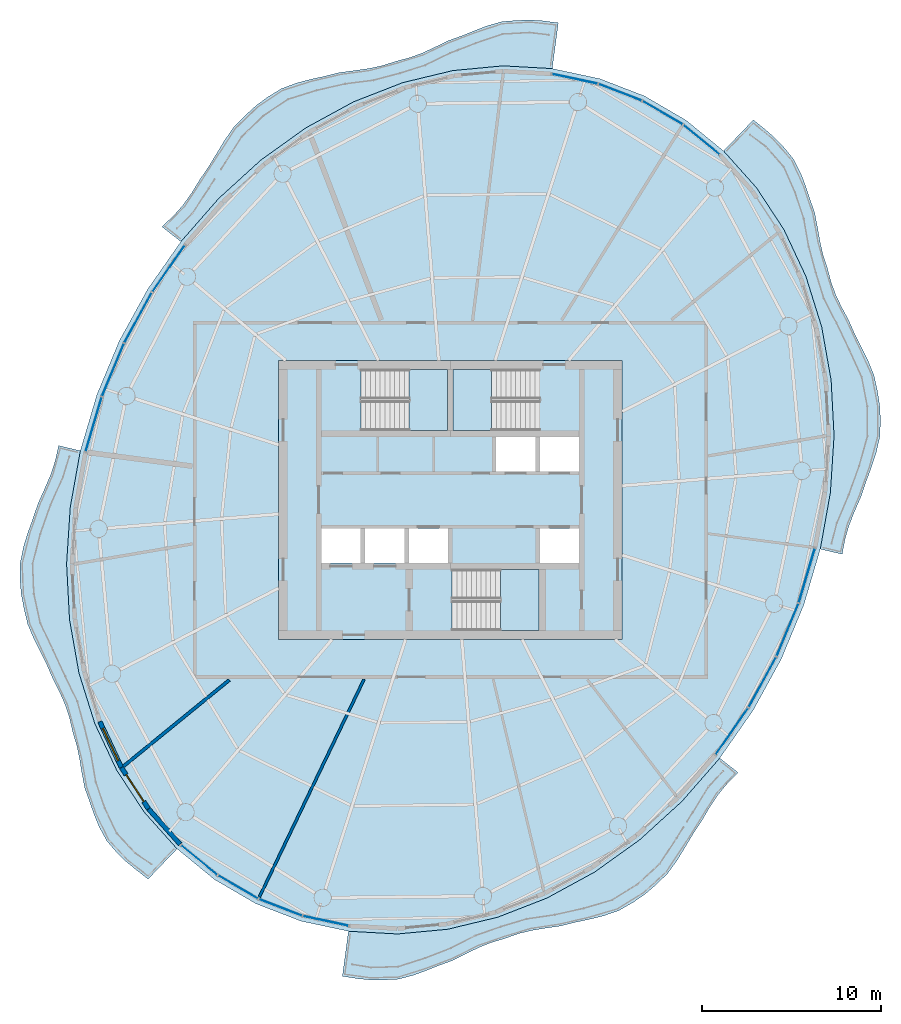
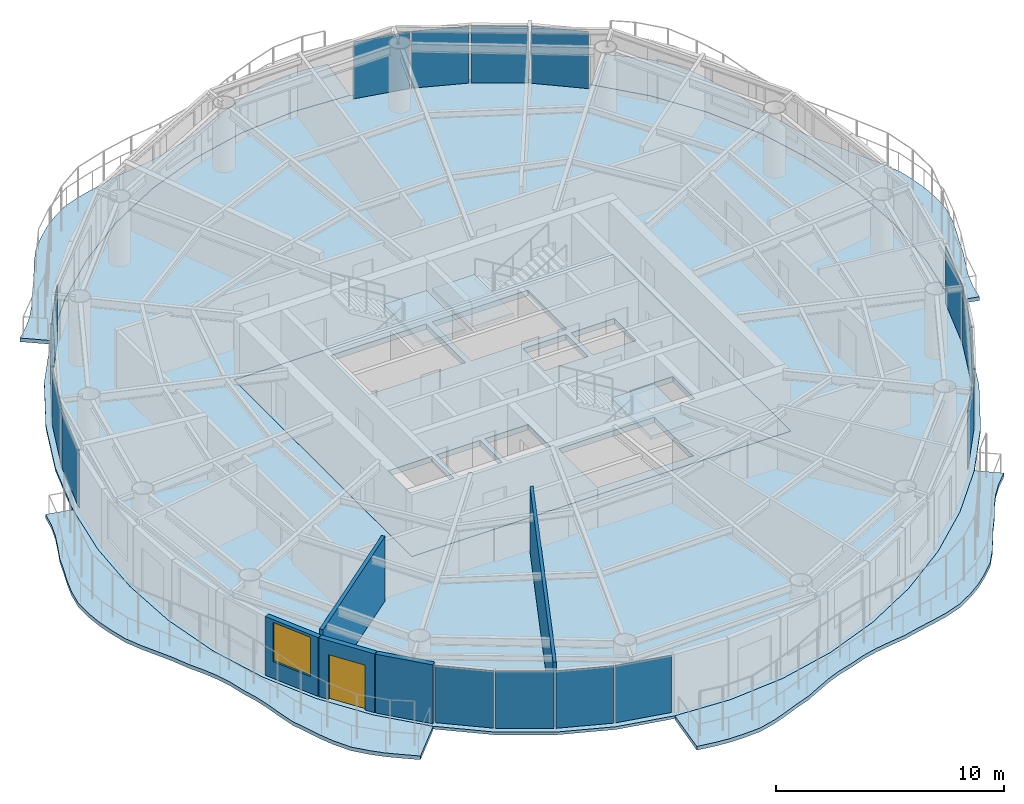
# One storey, part 6 of 13: 16 plates, 9 slabs, 5 walls, 1 door, 1 window, 2 openings, 19 elements without a shape of their own.
"""IFC4 building model written with IfcOpenShell, lengths in metres."""

from ifc_helpers import new_model, si_unit, direction, frame, frame_2d, origin, origin_2d, place, context, subcontext, project, spatial, polyline, rectangle, outline, extrude, material, layer, layer_set, type_object, element, fill, aggregate, save


model = new_model("IFC4")

# Units and contexts
model_context = context("Model", 3, precision=1e-05, world=origin(), true_north=direction((0.0, 1.0)))
body_context = subcontext(model_context, "Body", "Model", "MODEL_VIEW")
ifc_project = project(units=[si_unit("LENGTHUNIT", "METRE"), si_unit("AREAUNIT", "SQUARE_METRE"), si_unit("VOLUMEUNIT", "CUBIC_METRE"), si_unit("PLANEANGLEUNIT", "RADIAN"), si_unit("MASSUNIT", "GRAM", prefix="KILO")], contexts=[model_context])

# Site, building, storey
site_placement = place(None, origin())
site = spatial("IfcSite", under=ifc_project, at=site_placement, CompositionType="ELEMENT")
building_placement = place(site_placement, origin())
building = spatial("IfcBuilding", under=site, at=building_placement, Name="Vermilion Reach Broadcast Tower", CompositionType="ELEMENT")
storey_placement = place(building_placement, frame((0.0, 0.0, 290.10009765625)))
storey = spatial("IfcBuildingStorey", under=building, at=storey_placement, Name="L72", CompositionType="ELEMENT", Elevation=290.10009765625)

# Slabs
ifc_material_1 = material(Name="Concrete C40/50", Category="concrete")
ifc_layer_1 = layer(ifc_material_1, 0.199951171875)
ifc_layer_set_1 = layer_set([ifc_layer_1], Name="Balcony slab 200")
slab_type_1 = type_object("IfcSlabType", Name="Balcony slab 200", PredefinedType="FLOOR", material=ifc_layer_set_1)
placement_1 = place(storey_placement, frame((0.0, 0.0, -0.2001953125)))
element("IfcSlab", 1, at=placement_1, inside=storey, type_object=slab_type_1, Name="Balcony slab L72 group 1", PredefinedType="FLOOR", context=body_context, shape_type="SweptSolid", body=[
    extrude(outline(polyline([(-0.30126953125, 24.114501953125), (-3.0498046875, 24.26708984375), (-5.848876953125, 24.00439453125), (-8.650390625, 23.3310546875), (-11.406494140625, 22.258544921875), (-14.0703125, 20.80517578125), (-16.595947265625, 18.995849609375), (-18.940185546875, 16.861572265625), (-21.063232421875, 14.438720703125), (-22.12939453125, 15.27392578125), (-21.482666015625, 15.876953125), (-20.9482421875, 16.4794921875), (-20.477294921875, 17.137451171875), (-20.007080078125, 17.908203125), (-19.497802734375, 18.6513671875), (-19.071044921875, 19.359619140625), (-18.645263671875, 20.0693359375), (-18.098388671875, 20.853515625), (-17.4453125, 21.51513671875), (-16.866455078125, 22.040771484375), (-16.2421875, 22.50341796875), (-15.44384765625, 22.993408203125), (-14.5751953125, 23.314453125), (-13.8193359375, 23.512939453125), (-13.04736328125, 23.68212890625), (-12.16943359375, 23.898681640625), (-11.296142578125, 24.013671875), (-10.544189453125, 24.120361328125), (-9.812255859375, 24.278076171875), (-9.025390625, 24.528564453125), (-8.246826171875, 24.73486328125), (-7.56640625, 24.986083984375), (-6.899658203125, 25.2939453125), (-6.1259765625, 25.6728515625), (-5.326171875, 25.956787109375), (-4.646240234375, 26.23486328125), (-3.965087890625, 26.498046875), (-3.096923828125, 26.745361328125), (-2.21923828125, 26.8115234375), (-1.529052734375, 26.830810546875), (-0.842041015625, 26.788330078125), (0.040283203125, 26.673095703125), (-0.30126953125, 24.114501953125)])), origin(), (0.0, 0.0, 1.0), 0.2001953125),
])
element("IfcSlab", 2, at=placement_1, inside=storey, type_object=slab_type_1, Name="Balcony slab L72 group 2", PredefinedType="FLOOR", context=body_context, shape_type="SweptSolid", body=[
    extrude(outline(polyline([(-26.68359375, 2.749755859375), (-27.25048828125, -0.42138671875), (-27.453857421875, -3.585205078125), (-27.2900390625, -6.687744140625), (-26.761962890625, -9.67578125), (-25.878662109375, -12.498291015625), (-24.655029296875, -15.107177734375), (-23.112548828125, -17.457275390625), (-21.277099609375, -19.5087890625), (-22.8984375, -21.202392578125), (-23.593505859375, -20.657958984375), (-24.1318359375, -20.216064453125), (-24.626708984375, -19.735595703125), (-25.206298828125, -19.06689453125), (-25.635009765625, -18.2724609375), (-25.90869140625, -17.611328125), (-26.1455078125, -16.926025390625), (-26.439208984375, -16.104248046875), (-26.6083984375, -15.2275390625), (-26.7275390625, -14.48779296875), (-26.876708984375, -13.761962890625), (-27.108642578125, -12.976806640625), (-27.297119140625, -12.16748046875), (-27.527099609375, -11.46484375), (-27.82470703125, -10.783203125), (-28.21044921875, -10.029052734375), (-28.55224609375, -9.221923828125), (-28.905517578125, -8.513916015625), (-29.263427734375, -7.806884765625), (-29.626220703125, -6.954833984375), (-29.843505859375, -6.044677734375), (-29.989013671875, -5.274658203125), (-30.058349609375, -4.50048828125), (-30.05615234375, -3.5703125), (-29.86767578125, -2.6357421875), (-29.627685546875, -1.85693359375), (-29.3486328125, -1.080810546875), (-29.05078125, -0.203125), (-28.667236328125, 0.650146484375), (-28.345458984375, 1.41064453125), (-28.090087890625, 2.18310546875), (-27.902587890625, 3.037353515625), (-26.68359375, 2.749755859375)])), origin(), (0.0, 0.0, 1.0), 0.2001953125),
])
element("IfcSlab", 3, at=placement_1, inside=storey, type_object=slab_type_1, Name="Balcony slab L72 group 3", PredefinedType="FLOOR", context=body_context, shape_type="SweptSolid", body=[
    extrude(outline(polyline([(-11.69873046875, -24.114501953125), (-8.9501953125, -24.26708984375), (-6.151123046875, -24.00439453125), (-3.349609375, -23.3310546875), (-0.593505859375, -22.258544921875), (2.0703125, -20.80517578125), (4.595947265625, -18.995849609375), (6.940185546875, -16.861572265625), (9.063232421875, -14.438720703125), (10.099365234375, -15.25048828125), (9.474365234375, -15.86962890625), (8.961181640625, -16.49072265625), (8.510009765625, -17.166015625), (8.05322265625, -17.953369140625), (7.5498046875, -18.70849609375), (7.12548828125, -19.419677734375), (6.69580078125, -20.125), (6.136474609375, -20.900634765625), (5.468017578125, -21.546875), (4.8740234375, -22.051513671875), (4.234130859375, -22.491943359375), (3.422607421875, -22.95947265625), (2.546142578125, -23.26123046875), (1.783447265625, -23.447265625), (1.0087890625, -23.611083984375), (0.13623046875, -23.82763671875), (-0.728271484375, -23.95068359375), (-1.4736328125, -24.07421875), (-2.197509765625, -24.253173828125), (-2.97509765625, -24.52734375), (-3.74755859375, -24.758056640625), (-4.422607421875, -25.031494140625), (-5.085205078125, -25.35693359375), (-5.861328125, -25.748779296875), (-6.666259765625, -26.03759765625), (-7.346435546875, -26.312255859375), (-8.028564453125, -26.56494140625), (-8.902099609375, -26.7958984375), (-9.7822265625, -26.8408203125), (-10.471435546875, -26.836669921875), (-11.156982421875, -26.77001953125), (-12.034912109375, -26.63232421875), (-11.69873046875, -24.114501953125)])), origin(), (0.0, 0.0, 1.0), 0.2001953125),
])
element("IfcSlab", 4, at=placement_1, inside=storey, type_object=slab_type_1, Name="Balcony slab L72 group 4", PredefinedType="FLOOR", context=body_context, shape_type="SweptSolid", body=[
    extrude(outline(polyline([(14.68359375, -2.749755859375), (15.25048828125, 0.42138671875), (15.453857421875, 3.585205078125), (15.2900390625, 6.687744140625), (14.761962890625, 9.67578125), (13.878662109375, 12.498291015625), (12.655029296875, 15.107177734375), (11.112548828125, 17.457275390625), (9.277099609375, 19.5087890625), (10.943359375, 21.249267578125), (11.62890625, 20.689697265625), (12.151123046875, 20.2333984375), (12.628173828125, 19.73681640625), (13.188720703125, 19.05322265625), (13.597900390625, 18.248046875), (13.856201171875, 17.576904296875), (14.08251953125, 16.884765625), (14.368408203125, 16.064697265625), (14.537353515625, 15.194091796875), (14.66552734375, 14.458740234375), (14.82958984375, 13.739990234375), (15.080322265625, 12.9658203125), (15.29248046875, 12.166015625), (15.547119140625, 11.47119140625), (15.867431640625, 10.796630859375), (16.272705078125, 10.044189453125), (16.627685546875, 9.235107421875), (16.9853515625, 8.528076171875), (17.339111328125, 7.8203125), (17.68994140625, 6.962158203125), (17.88720703125, 6.047119140625), (18.007568359375, 5.275634765625), (18.0498046875, 4.5), (18.021240234375, 3.570556640625), (17.810302734375, 2.6396484375), (17.55419921875, 1.86181640625), (17.267822265625, 1.0859375), (16.972900390625, 0.212646484375), (16.601806640625, -0.638427734375), (16.2998046875, -1.402587890625), (16.069580078125, -2.179443359375), (15.909912109375, -3.039306640625), (14.68359375, -2.749755859375)])), origin(), (0.0, 0.0, 1.0), 0.2001953125),
])
ifc_material_2 = material(Name="Concrete C40", Category="concrete")
ifc_layer_2 = layer(ifc_material_2, 0.300048828125)
ifc_layer_set_2 = layer_set([ifc_layer_2], Name="Core floor slab 300 mm Concrete C40")
slab_type_2 = type_object("IfcSlabType", Name="Core floor slab 300 mm Concrete C40", PredefinedType="FLOOR", material=ifc_layer_set_2)
slab_5_placement = place(storey_placement, frame((0.0, 0.0, -0.300048828125)))
element("IfcSlab", 5, at=slab_5_placement, inside=storey, type_object=slab_type_2, Name="L72 core floor", PredefinedType="FLOOR", context=body_context, shape_type="SweptSolid", body=[
    extrude(outline(polyline([(-15.60009765625, -7.800048828125), (3.60009765625, -7.800048828125), (3.60009765625, 7.800048828125), (-15.60009765625, 7.800048828125), (-15.60009765625, -7.800048828125)]), holes=[polyline([(-3.433349609375, 1.60009765625), (-1.24169921875, 1.60009765625), (-1.24169921875, 3.530029296875), (-3.433349609375, 3.530029296875), (-3.433349609375, 1.60009765625)]), polyline([(-0.99169921875, 1.60009765625), (1.199951171875, 1.60009765625), (1.199951171875, 3.530029296875), (-0.99169921875, 3.530029296875), (-0.99169921875, 1.60009765625)]), polyline([(-13.199951171875, -3.530029296875), (-11.00830078125, -3.530029296875), (-11.00830078125, -1.60009765625), (-13.199951171875, -1.60009765625), (-13.199951171875, -3.530029296875)]), polyline([(-10.75830078125, -3.530029296875), (-8.566650390625, -3.530029296875), (-8.566650390625, -1.60009765625), (-10.75830078125, -1.60009765625), (-10.75830078125, -3.530029296875)]), polyline([(-8.316650390625, -3.530029296875), (-6.125, -3.530029296875), (-6.125, -1.60009765625), (-8.316650390625, -1.60009765625), (-8.316650390625, -3.530029296875)]), polyline([(-0.99169921875, -3.530029296875), (1.199951171875, -3.530029296875), (1.199951171875, -1.60009765625), (-0.99169921875, -1.60009765625), (-0.99169921875, -3.530029296875)]), polyline([(-10.999267578125, 3.8798828125), (-6.14990234375, 3.8798828125), (-6.14990234375, 7.300048828125), (-10.999267578125, 7.300048828125), (-10.999267578125, 3.8798828125)]), polyline([(-1.000732421875, 7.300048828125), (-5.85009765625, 7.300048828125), (-5.85009765625, 3.8798828125), (-1.000732421875, 3.8798828125), (-1.000732421875, 7.300048828125)]), polyline([(-5.8994140625, -7.300048828125), (-1.050048828125, -7.300048828125), (-1.050048828125, -3.8798828125), (-5.8994140625, -3.8798828125), (-5.8994140625, -7.300048828125)])]), origin(), (0.0, 0.0, 1.0), 0.300048828125),
])

# Stair, slab
ifc_material_3 = material(Name="Concrete C40", Category="concrete")
stair_type = type_object("IfcStairType", Name="Exit stair RC 22 risers 164 mm", PredefinedType="HALF_TURN_STAIR", material=ifc_material_3)
placement_2 = place(storey_placement, origin())
stair_1 = element("IfcStair", 6, at=placement_2, inside=storey, type_object=stair_type, Name="L72 Exit stair ST1", PredefinedType="HALF_TURN_STAIR")
ifc_material_4 = material(Name="Concrete C40", Category="concrete")
ifc_layer_3 = layer(ifc_material_4, 0.199951171875)
ifc_layer_set_3 = layer_set([ifc_layer_3], Name="Exit stair landing Concrete C40")
slab_type_3 = type_object("IfcSlabType", Name="Exit stair landing Concrete C40", PredefinedType="LANDING", material=ifc_layer_set_3)
placement_3 = place(storey_placement, frame((0.0, 0.0, 1.599853515625)))
slab_6 = element("IfcSlab", 7, at=placement_3, type_object=slab_type_3, Name="ST1 landing 1", PredefinedType="LANDING", context=body_context, shape_type="SweptSolid", body=[
    extrude(outline(polyline([(-8.300048828125, 3.8798828125), (-6.14990234375, 3.8798828125), (-6.14990234375, 7.300048828125), (-8.300048828125, 7.300048828125), (-8.300048828125, 3.8798828125)])), origin(), (0.0, 0.0, 1.0), 0.199951171875),
])
aggregate(stair_1, [slab_6])

stair_2 = element("IfcStair", 8, at=placement_2, inside=storey, type_object=stair_type, Name="L72 Exit stair ST2", PredefinedType="HALF_TURN_STAIR")
slab_7 = element("IfcSlab", 9, at=placement_3, type_object=slab_type_3, Name="ST2 landing 1", PredefinedType="LANDING", context=body_context, shape_type="SweptSolid", body=[
    extrude(outline(polyline([(-3.699951171875, 7.300048828125), (-5.85009765625, 7.300048828125), (-5.85009765625, 3.8798828125), (-3.699951171875, 3.8798828125), (-3.699951171875, 7.300048828125)])), origin(), (0.0, 0.0, 1.0), 0.199951171875),
])
aggregate(stair_2, [slab_7])

stair_3 = element("IfcStair", 10, at=placement_2, inside=storey, type_object=stair_type, Name="L72 Exit stair ST3", PredefinedType="HALF_TURN_STAIR")
slab_8 = element("IfcSlab", 11, at=placement_3, type_object=slab_type_3, Name="ST3 landing 1", PredefinedType="LANDING", context=body_context, shape_type="SweptSolid", body=[
    extrude(outline(polyline([(-3.199951171875, -7.300048828125), (-1.050048828125, -7.300048828125), (-1.050048828125, -3.8798828125), (-3.199951171875, -3.8798828125), (-3.199951171875, -7.300048828125)])), origin(), (0.0, 0.0, 1.0), 0.199951171875),
])
aggregate(stair_3, [slab_8])

# Slab
ifc_material_5 = material(Name="Concrete C40", Category="concrete")
ifc_layer_4 = layer(ifc_material_5, 0.14990234375)
ifc_layer_set_4 = layer_set([ifc_layer_4], Name="Floor slab Concrete C40 composite 150")
slab_type_4 = type_object("IfcSlabType", Name="Floor slab Concrete C40 composite 150", PredefinedType="FLOOR", material=ifc_layer_set_4)
slab_9_placement = place(storey_placement, frame((0.0, 0.0, -0.150146484375)))
element("IfcSlab", 12, at=slab_9_placement, inside=storey, type_object=slab_type_4, Name="Floor slab L72", PredefinedType="FLOOR", context=body_context, shape_type="SweptSolid", body=[
    extrude(outline(polyline([(4.85791015625, 22.5810546875), (2.349609375, 23.54931640625), (-0.30126953125, 24.114501953125), (-3.0498046875, 24.26708984375), (-5.848876953125, 24.00439453125), (-8.650390625, 23.3310546875), (-11.406494140625, 22.258544921875), (-14.0703125, 20.80517578125), (-16.595947265625, 18.995849609375), (-18.940185546875, 16.861572265625), (-21.063232421875, 14.438720703125), (-22.928466796875, 11.768798828125), (-24.50390625, 8.8974609375), (-25.762939453125, 5.873779296875), (-26.68359375, 2.749755859375), (-27.25048828125, -0.42138671875), (-27.453857421875, -3.585205078125), (-27.2900390625, -6.687744140625), (-26.761962890625, -9.67578125), (-25.878662109375, -12.498291015625), (-24.655029296875, -15.107177734375), (-23.112548828125, -17.457275390625), (-21.277099609375, -19.5087890625), (-19.18017578125, -21.2265625), (-16.85791015625, -22.5810546875), (-14.349609375, -23.54931640625), (-11.69873046875, -24.114501953125), (-8.9501953125, -24.26708984375), (-6.151123046875, -24.00439453125), (-3.349609375, -23.3310546875), (-0.593505859375, -22.258544921875), (2.0703125, -20.80517578125), (4.595947265625, -18.995849609375), (6.940185546875, -16.861572265625), (9.063232421875, -14.438720703125), (10.928466796875, -11.768798828125), (12.50390625, -8.8974609375), (13.762939453125, -5.873779296875), (14.68359375, -2.749755859375), (15.25048828125, 0.42138671875), (15.453857421875, 3.585205078125), (15.2900390625, 6.687744140625), (14.761962890625, 9.67578125), (13.878662109375, 12.498291015625), (12.655029296875, 15.107177734375), (11.112548828125, 17.457275390625), (9.277099609375, 19.5087890625), (7.18017578125, 21.2265625), (4.85791015625, 22.5810546875)]), holes=[polyline([(-15.60009765625, -7.800048828125), (3.60009765625, -7.800048828125), (3.60009765625, 7.800048828125), (-15.60009765625, 7.800048828125), (-15.60009765625, -7.800048828125)])]), origin(), (0.0, 0.0, 1.0), 0.150146484375),
])

# Curtain wall, plate
ifc_material_6 = material(Name="Low-e laminated clear glass in aluminium frame", Category="aluminium")
curtain_wall_type = type_object("IfcCurtainWallType", Name="Slot curtain wall", PredefinedType="NOTDEFINED", material=ifc_material_6)
curtain_wall_1 = element("IfcCurtainWall", 13, at=placement_2, inside=storey, type_object=curtain_wall_type, Name="Slot curtain wall L72 46", PredefinedType="NOTDEFINED")
ifc_material_7 = material(Name="Low-e laminated clear glass", Category="glass")
ifc_layer_5 = layer(ifc_material_7, 0.028076171875)
ifc_layer_set_5 = layer_set([ifc_layer_5], Name="Slot glass panel")
plate_type = type_object("IfcPlateType", Name="Slot glass panel", PredefinedType="CURTAIN_PANEL", material=ifc_layer_set_5)
plate_1_placement = place(storey_placement, frame((8.039306640625, 20.13623046875, 0.0), z_axis=(0.0, 0.0, 1.0), x_axis=(-0.773568350369, 0.6337128745, 0.0)))
plate_1 = element("IfcPlate", 14, at=plate_1_placement, type_object=plate_type, Name="Slot glass panel L72 46", PredefinedType="CURTAIN_PANEL", context=body_context, shape_type="SweptSolid", body=[
    extrude(rectangle(XDim=2.583740234375, YDim=0.028076171875, at=origin_2d()), origin(), (0.0, 0.0, 1.0), 3.050048828125),
])
aggregate(curtain_wall_1, [plate_1])

curtain_wall_2 = element("IfcCurtainWall", 15, at=placement_2, inside=storey, type_object=curtain_wall_type, Name="Slot curtain wall L72 47", PredefinedType="NOTDEFINED")
plate_2_placement = place(storey_placement, frame((5.868408203125, 21.6455078125, 0.0), z_axis=(0.0, 0.0, 1.0), x_axis=(-0.863806849081, 0.503823111301, 0.0)))
plate_2 = element("IfcPlate", 16, at=plate_2_placement, type_object=plate_type, Name="Slot glass panel L72 47", PredefinedType="CURTAIN_PANEL", context=body_context, shape_type="SweptSolid", body=[
    extrude(rectangle(XDim=2.560791015625, YDim=0.028076171875, at=origin_2d()), origin(), (0.0, 0.0, 1.0), 3.050048828125),
])
aggregate(curtain_wall_2, [plate_2])

curtain_wall_3 = element("IfcCurtainWall", 17, at=placement_2, inside=storey, type_object=curtain_wall_type, Name="Slot curtain wall L72 00", PredefinedType="NOTDEFINED")
plate_3_placement = place(storey_placement, frame((3.49609375, 22.7861328125, 0.0), z_axis=(0.0, 0.0, 1.0), x_axis=(-0.932911105184, 0.360106747818, 0.0)))
plate_3 = element("IfcPlate", 18, at=plate_3_placement, type_object=plate_type, Name="Slot glass panel L72 00", PredefinedType="CURTAIN_PANEL", context=body_context, shape_type="SweptSolid", body=[
    extrude(rectangle(XDim=2.560791015625, YDim=0.028076171875, at=origin_2d()), origin(), (0.0, 0.0, 1.0), 3.050048828125),
])
aggregate(curtain_wall_3, [plate_3])

curtain_wall_4 = element("IfcCurtainWall", 19, at=placement_2, inside=storey, type_object=curtain_wall_type, Name="Slot curtain wall L72 01", PredefinedType="NOTDEFINED")
plate_4_placement = place(storey_placement, frame((0.961669921875, 23.539306640625, 0.0), z_axis=(0.0, 0.0, 1.0), x_axis=(-0.978018927613, 0.208516131823, 0.0)))
plate_4 = element("IfcPlate", 20, at=plate_4_placement, type_object=plate_type, Name="Slot glass panel L72 01", PredefinedType="CURTAIN_PANEL", context=body_context, shape_type="SweptSolid", body=[
    extrude(rectangle(XDim=2.583740234375, YDim=0.028076171875, at=origin_2d()), origin(), (0.0, 0.0, 1.0), 3.050048828125),
])
aggregate(curtain_wall_4, [plate_4])

curtain_wall_5 = element("IfcCurtainWall", 21, at=placement_2, inside=storey, type_object=curtain_wall_type, Name="Slot curtain wall L72 10", PredefinedType="NOTDEFINED")
plate_5_placement = place(storey_placement, frame((-21.750244140625, 12.93212890625, 0.0), z_axis=(0.0, 0.0, 1.0), x_axis=(-0.572683191503, -0.819776775817, 0.0)))
plate_5 = element("IfcPlate", 22, at=plate_5_placement, type_object=plate_type, Name="Slot glass panel L72 10", PredefinedType="CURTAIN_PANEL", context=body_context, shape_type="SweptSolid", body=[
    extrude(rectangle(XDim=3.144287109375, YDim=0.028076171875, at=origin_2d()), origin(), (0.0, 0.0, 1.0), 3.050048828125),
])
aggregate(curtain_wall_5, [plate_5])

curtain_wall_6 = element("IfcCurtainWall", 23, at=placement_2, inside=storey, type_object=curtain_wall_type, Name="Slot curtain wall L72 11", PredefinedType="NOTDEFINED")
plate_6_placement = place(storey_placement, frame((-23.45361328125, 10.18896484375, 0.0), z_axis=(0.0, 0.0, 1.0), x_axis=(-0.481054568719, -0.876690653489, 0.0)))
plate_6 = element("IfcPlate", 24, at=plate_6_placement, type_object=plate_type, Name="Slot glass panel L72 11", PredefinedType="CURTAIN_PANEL", context=body_context, shape_type="SweptSolid", body=[
    extrude(rectangle(XDim=3.162841796875, YDim=0.028076171875, at=origin_2d()), origin(), (0.0, 0.0, 1.0), 3.050048828125),
])
aggregate(curtain_wall_6, [plate_6])

curtain_wall_7 = element("IfcCurtainWall", 25, at=placement_2, inside=storey, type_object=curtain_wall_type, Name="Slot curtain wall L72 12", PredefinedType="NOTDEFINED")
plate_7_placement = place(storey_placement, frame((-24.85693359375, 7.2705078125, 0.0), z_axis=(0.0, 0.0, 1.0), x_axis=(-0.384386958611, -0.923172067412, 0.0)))
plate_7 = element("IfcPlate", 26, at=plate_7_placement, type_object=plate_type, Name="Slot glass panel L72 12", PredefinedType="CURTAIN_PANEL", context=body_context, shape_type="SweptSolid", body=[
    extrude(rectangle(XDim=3.162841796875, YDim=0.028076171875, at=origin_2d()), origin(), (0.0, 0.0, 1.0), 3.050048828125),
])
aggregate(curtain_wall_7, [plate_7])

curtain_wall_8 = element("IfcCurtainWall", 27, at=placement_2, inside=storey, type_object=curtain_wall_type, Name="Slot curtain wall L72 13", PredefinedType="NOTDEFINED")
plate_8_placement = place(storey_placement, frame((-25.935791015625, 4.227294921875, 0.0), z_axis=(0.0, 0.0, 1.0), x_axis=(-0.282717782127, -0.959203135769, 0.0)))
plate_8 = element("IfcPlate", 28, at=plate_8_placement, type_object=plate_type, Name="Slot glass panel L72 13", PredefinedType="CURTAIN_PANEL", context=body_context, shape_type="SweptSolid", body=[
    extrude(rectangle(XDim=3.144287109375, YDim=0.028076171875, at=origin_2d()), origin(), (0.0, 0.0, 1.0), 3.050048828125),
])
aggregate(curtain_wall_8, [plate_8])

curtain_wall_9 = element("IfcCurtainWall", 29, at=placement_2, inside=storey, type_object=curtain_wall_type, Name="Slot curtain wall L72 22", PredefinedType="NOTDEFINED")
plate_9_placement = place(storey_placement, frame((-20.039306640625, -20.13623046875, 0.0), z_axis=(0.0, 0.0, 1.0), x_axis=(0.773568350369, -0.6337128745, 0.0)))
plate_9 = element("IfcPlate", 30, at=plate_9_placement, type_object=plate_type, Name="Slot glass panel L72 22", PredefinedType="CURTAIN_PANEL", context=body_context, shape_type="SweptSolid", body=[
    extrude(rectangle(XDim=2.583740234375, YDim=0.028076171875, at=origin_2d()), origin(), (0.0, 0.0, 1.0), 3.050048828125),
])
aggregate(curtain_wall_9, [plate_9])

curtain_wall_10 = element("IfcCurtainWall", 31, at=placement_2, inside=storey, type_object=curtain_wall_type, Name="Slot curtain wall L72 23", PredefinedType="NOTDEFINED")
plate_10_placement = place(storey_placement, frame((-17.868408203125, -21.6455078125, 0.0), z_axis=(0.0, 0.0, 1.0), x_axis=(0.863806849081, -0.503823111301, 0.0)))
plate_10 = element("IfcPlate", 32, at=plate_10_placement, type_object=plate_type, Name="Slot glass panel L72 23", PredefinedType="CURTAIN_PANEL", context=body_context, shape_type="SweptSolid", body=[
    extrude(rectangle(XDim=2.560791015625, YDim=0.028076171875, at=origin_2d()), origin(), (0.0, 0.0, 1.0), 3.050048828125),
])
aggregate(curtain_wall_10, [plate_10])

curtain_wall_11 = element("IfcCurtainWall", 33, at=placement_2, inside=storey, type_object=curtain_wall_type, Name="Slot curtain wall L72 24", PredefinedType="NOTDEFINED")
plate_11_placement = place(storey_placement, frame((-15.49609375, -22.7861328125, 0.0), z_axis=(0.0, 0.0, 1.0), x_axis=(0.932911105184, -0.360106747818, 0.0)))
plate_11 = element("IfcPlate", 34, at=plate_11_placement, type_object=plate_type, Name="Slot glass panel L72 24", PredefinedType="CURTAIN_PANEL", context=body_context, shape_type="SweptSolid", body=[
    extrude(rectangle(XDim=2.560791015625, YDim=0.028076171875, at=origin_2d()), origin(), (0.0, 0.0, 1.0), 3.050048828125),
])
aggregate(curtain_wall_11, [plate_11])

curtain_wall_12 = element("IfcCurtainWall", 35, at=placement_2, inside=storey, type_object=curtain_wall_type, Name="Slot curtain wall L72 25", PredefinedType="NOTDEFINED")
plate_12_placement = place(storey_placement, frame((-12.961669921875, -23.539306640625, 0.0), z_axis=(0.0, 0.0, 1.0), x_axis=(0.978018927613, -0.208516131823, 0.0)))
plate_12 = element("IfcPlate", 36, at=plate_12_placement, type_object=plate_type, Name="Slot glass panel L72 25", PredefinedType="CURTAIN_PANEL", context=body_context, shape_type="SweptSolid", body=[
    extrude(rectangle(XDim=2.583740234375, YDim=0.028076171875, at=origin_2d()), origin(), (0.0, 0.0, 1.0), 3.050048828125),
])
aggregate(curtain_wall_12, [plate_12])

curtain_wall_13 = element("IfcCurtainWall", 37, at=placement_2, inside=storey, type_object=curtain_wall_type, Name="Slot curtain wall L72 34", PredefinedType="NOTDEFINED")
plate_13_placement = place(storey_placement, frame((9.750244140625, -12.93212890625, 0.0), z_axis=(0.0, 0.0, 1.0), x_axis=(0.572683191503, 0.819776775817, 0.0)))
plate_13 = element("IfcPlate", 38, at=plate_13_placement, type_object=plate_type, Name="Slot glass panel L72 34", PredefinedType="CURTAIN_PANEL", context=body_context, shape_type="SweptSolid", body=[
    extrude(rectangle(XDim=3.144287109375, YDim=0.028076171875, at=origin_2d()), origin(), (0.0, 0.0, 1.0), 3.050048828125),
])
aggregate(curtain_wall_13, [plate_13])

curtain_wall_14 = element("IfcCurtainWall", 39, at=placement_2, inside=storey, type_object=curtain_wall_type, Name="Slot curtain wall L72 35", PredefinedType="NOTDEFINED")
plate_14_placement = place(storey_placement, frame((11.45361328125, -10.18896484375, 0.0), z_axis=(0.0, 0.0, 1.0), x_axis=(0.481054568719, 0.876690653489, 0.0)))
plate_14 = element("IfcPlate", 40, at=plate_14_placement, type_object=plate_type, Name="Slot glass panel L72 35", PredefinedType="CURTAIN_PANEL", context=body_context, shape_type="SweptSolid", body=[
    extrude(rectangle(XDim=3.162841796875, YDim=0.028076171875, at=origin_2d()), origin(), (0.0, 0.0, 1.0), 3.050048828125),
])
aggregate(curtain_wall_14, [plate_14])

curtain_wall_15 = element("IfcCurtainWall", 41, at=placement_2, inside=storey, type_object=curtain_wall_type, Name="Slot curtain wall L72 36", PredefinedType="NOTDEFINED")
plate_15_placement = place(storey_placement, frame((12.85693359375, -7.2705078125, 0.0), z_axis=(0.0, 0.0, 1.0), x_axis=(0.384386958611, 0.923172067412, 0.0)))
plate_15 = element("IfcPlate", 42, at=plate_15_placement, type_object=plate_type, Name="Slot glass panel L72 36", PredefinedType="CURTAIN_PANEL", context=body_context, shape_type="SweptSolid", body=[
    extrude(rectangle(XDim=3.162841796875, YDim=0.028076171875, at=origin_2d()), origin(), (0.0, 0.0, 1.0), 3.050048828125),
])
aggregate(curtain_wall_15, [plate_15])

curtain_wall_16 = element("IfcCurtainWall", 43, at=placement_2, inside=storey, type_object=curtain_wall_type, Name="Slot curtain wall L72 37", PredefinedType="NOTDEFINED")
plate_16_placement = place(storey_placement, frame((13.935791015625, -4.227294921875, 0.0), z_axis=(0.0, 0.0, 1.0), x_axis=(0.282717782127, 0.959203135769, 0.0)))
plate_16 = element("IfcPlate", 44, at=plate_16_placement, type_object=plate_type, Name="Slot glass panel L72 37", PredefinedType="CURTAIN_PANEL", context=body_context, shape_type="SweptSolid", body=[
    extrude(rectangle(XDim=3.144287109375, YDim=0.028076171875, at=origin_2d()), origin(), (0.0, 0.0, 1.0), 3.050048828125),
])
aggregate(curtain_wall_16, [plate_16])

# Walls
ifc_material_8 = material(Name="Lightweight concrete block, plastered", Category="concrete")
ifc_layer_6 = layer(ifc_material_8, 0.14990234375)
ifc_layer_set_6 = layer_set([ifc_layer_6], Name="Partition 150 lightweight block")
wall_type_1 = type_object("IfcWallType", Name="Partition 150 lightweight block", PredefinedType="PARTITIONING", material=ifc_layer_set_6)
wall_1_placement = place(storey_placement, frame((-16.673583984375, -22.197998046875, 0.0), z_axis=(0.0, 0.0, 1.0), x_axis=(0.43334246097, 0.901229333478, 0.0)))
element("IfcWall", 45, at=wall_1_placement, inside=storey, type_object=wall_type_1, Name="Partition 72.06", PredefinedType="PARTITIONING", context=body_context, shape_type="SweptSolid", body=[
    extrude(rectangle(XDim=13.498779296875, YDim=0.14990234375, at=frame_2d((6.74951171875, 0.0))), origin(), (0.0, 0.0, 1.0), 3.449951171875),
])
ifc_material_9 = material(Name="Fire-rated block, plastered")
ifc_layer_7 = layer(ifc_material_9, 0.175048828125)
ifc_layer_set_7 = layer_set([ifc_layer_7], Name="Partition 175 fire-rated block")
wall_type_2 = type_object("IfcWallType", Name="Partition 175 fire-rated block", PredefinedType="PARTITIONING", material=ifc_layer_set_7)
wall_2_placement = place(storey_placement, frame((-24.283935546875, -14.900146484375, 0.0), z_axis=(0.0, 0.0, 1.0), x_axis=(0.775191568624, 0.631726231792, 0.0)))
element("IfcWall", 46, at=wall_2_placement, inside=storey, type_object=wall_type_2, Name="Partition 72.05", PredefinedType="PARTITIONING", context=body_context, shape_type="SweptSolid", body=[
    extrude(rectangle(XDim=7.6494140625, YDim=0.175048828125, at=frame_2d((3.82470703125, 0.0))), origin(), (0.0, 0.0, 1.0), 3.449951171875),
])

# Wall, opening, window
ifc_material_10 = material(Name="Terracotta rainscreen cladding", Category="masonry")
ifc_layer_8 = layer(ifc_material_10, 0.25)
ifc_layer_set_8 = layer_set([ifc_layer_8], Name="Terracotta rainscreen wall 250")
wall_type_3 = type_object("IfcWallType", Name="Terracotta rainscreen wall 250", PredefinedType="SOLIDWALL", material=ifc_layer_set_8)
wall_3_placement = place(storey_placement, frame((-25.593505859375, -12.401123046875, 0.0), z_axis=(0.0, 0.0, 1.0), x_axis=(0.424551668491, -0.905403711491, 0.0)))
wall_3 = element("IfcWall", 47, at=wall_3_placement, inside=storey, type_object=wall_type_3, Name="External wall L72 19", PredefinedType="SOLIDWALL", context=body_context, shape_type="SweptSolid", body=[
    extrude(rectangle(XDim=2.814208984375, YDim=0.25, at=frame_2d((1.4072265625, 0.0))), origin(), (0.0, 0.0, 1.0), 3.14990234375),
])
opening_1_placement = place(wall_3_placement, frame((0.4072265625, 0.0, 0.89990234375)))
opening_1 = element("IfcOpeningElement", 48, at=opening_1_placement, cuts=wall_3, Name="Opening W03", PredefinedType="OPENING", context=body_context, shape_type="SweptSolid", body=[
    extrude(rectangle(XDim=2.0, YDim=2.10009765625, at=frame_2d((1.0, 1.050048828125))), frame((0.0, 0.135009765625, 0.0), z_axis=(0.0, -1.0, 0.0), x_axis=(1.0, 0.0, 0.0)), (0.0, 0.0, 1.0), 0.27001953125),
])
ifc_material_11 = material(Name="Low-e laminated clear glass in aluminium frame", Category="aluminium")
window_type = type_object("IfcWindowType", Name="Punched window 2000 x 2100 sill 900", PartitioningType="SINGLE_PANEL", PredefinedType="WINDOW", material=ifc_material_11)
window_placement = place(opening_1_placement, origin())
window = element("IfcWindow", 49, at=window_placement, inside=storey, type_object=window_type, Name="Window L72 19", OverallHeight=2.10009765625, OverallWidth=2.0, PartitioningType="SINGLE_PANEL", PredefinedType="WINDOW", context=body_context, shape_type="SweptSolid", body=[
    extrude(rectangle(XDim=2.0, YDim=2.10009765625, at=frame_2d((1.0, 1.050048828125))), frame((0.0, 0.030029296875, 0.0), z_axis=(0.0, -1.0, 0.0), x_axis=(1.0, 0.0, 0.0)), (0.0, 0.0, 1.0), 0.06005859375),
])
fill(opening_1, window)

# Wall, opening, door
wall_4_placement = place(storey_placement, frame((-24.385986328125, -14.9716796875, 0.0), z_axis=(0.0, 0.0, 1.0), x_axis=(0.548705074574, -0.83601599335, 0.0)))
wall_4 = element("IfcWall", 50, at=wall_4_placement, inside=storey, type_object=wall_type_3, Name="External wall L72 20", PredefinedType="SOLIDWALL", context=body_context, shape_type="SweptSolid", body=[
    extrude(rectangle(XDim=2.7412109375, YDim=0.25, at=frame_2d((1.37060546875, 0.0))), origin(), (0.0, 0.0, 1.0), 3.14990234375),
])
opening_2_placement = place(wall_4_placement, frame((0.470947265625, 0.0, 0.0)))
opening_2 = element("IfcOpeningElement", 51, at=opening_2_placement, cuts=wall_4, Name="Opening D70", PredefinedType="OPENING", context=body_context, shape_type="SweptSolid", body=[
    extrude(rectangle(XDim=1.800048828125, YDim=2.39990234375, at=frame_2d((0.89990234375, 1.199951171875))), frame((0.0, 0.135009765625, 0.0), z_axis=(0.0, -1.0, 0.0), x_axis=(1.0, 0.0, 0.0)), (0.0, 0.0, 1.0), 0.27001953125),
])
ifc_material_12 = material(Name="Low-e laminated clear glass in aluminium frame", Category="aluminium")
door_type = type_object("IfcDoorType", Name="Balcony sliding door 1800 x 2400", OperationType="DOUBLE_DOOR_SLIDING", PredefinedType="DOOR", material=ifc_material_12)
door_placement = place(opening_2_placement, origin())
door = element("IfcDoor", 52, at=door_placement, inside=storey, type_object=door_type, Name="Balcony door L72 run 05", OperationType="DOUBLE_DOOR_SLIDING", OverallHeight=2.39990234375, OverallWidth=1.800048828125, PredefinedType="DOOR", context=body_context, shape_type="SweptSolid", body=[
    extrude(rectangle(XDim=1.800048828125, YDim=2.39990234375, at=frame_2d((0.89990234375, 1.199951171875))), frame((0.0, 0.02490234375, 0.0), z_axis=(0.0, -1.0, 0.0), x_axis=(1.0, 0.0, 0.0)), (0.0, 0.0, 1.0), 0.050048828125),
])
fill(opening_2, door)

# Wall
wall_5_placement = place(storey_placement, frame((-22.86572265625, -17.28466796875, 0.0), z_axis=(0.0, 0.0, 1.0), x_axis=(0.666789450608, -0.745246152997, 0.0)))
element("IfcWall", 53, at=wall_5_placement, inside=storey, type_object=wall_type_3, Name="External wall L72 21", PredefinedType="SOLIDWALL", context=body_context, shape_type="SweptSolid", body=[
    extrude(rectangle(XDim=2.638916015625, YDim=0.25, at=frame_2d((1.3193359375, 0.0))), origin(), (0.0, 0.0, 1.0), 3.14990234375),
])

save(model, "model.ifc")
